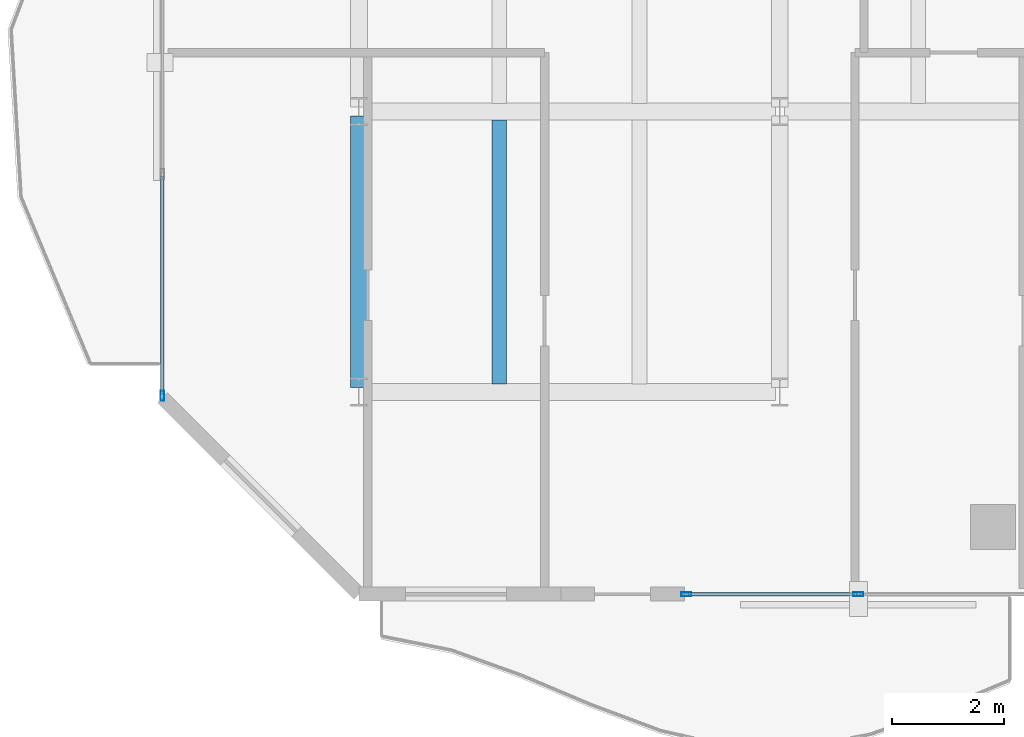
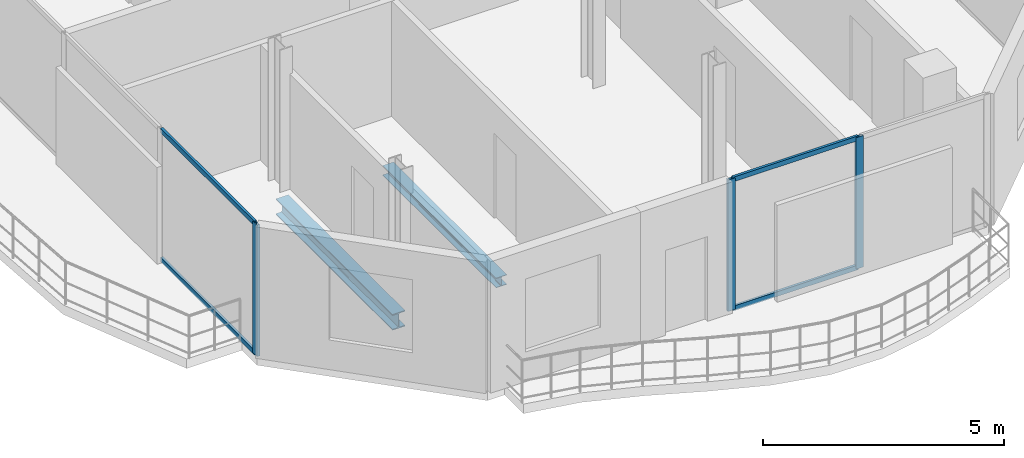
# One storey, part 3 of 23: 7 members, 2 beams, 2 elements without a shape of their own.
"""IFC4 building model written with IfcOpenShell, lengths in metres."""

from ifc_helpers import new_model, si_unit, direction, frame, origin, origin_2d, place, context, subcontext, project, spatial, hollow_rectangle, i_section, extrude, material, layer, layer_set, material_profile, profile_set, type_object, element, aggregate, save


model = new_model("IFC4")

# Units and contexts
model_context = context("Model", 3, precision=1e-05, world=origin(), true_north=direction((0.0, 1.0)))
body_context = subcontext(model_context, "Body", "Model", "MODEL_VIEW")
ifc_project = project(units=[si_unit("LENGTHUNIT", "METRE"), si_unit("AREAUNIT", "SQUARE_METRE"), si_unit("VOLUMEUNIT", "CUBIC_METRE"), si_unit("PLANEANGLEUNIT", "RADIAN"), si_unit("MASSUNIT", "GRAM", prefix="KILO")], contexts=[model_context])

# Site, building, storey
site_placement = place(None, origin())
site = spatial("IfcSite", under=ifc_project, at=site_placement, CompositionType="ELEMENT")
building_placement = place(site_placement, origin())
building = spatial("IfcBuilding", under=site, at=building_placement, Name="Catumbela Crestline Tower", CompositionType="ELEMENT")
storey_placement = place(building_placement, frame((0.0, 0.0, 172.2)))
storey = spatial("IfcBuildingStorey", under=building, at=storey_placement, Name="L44", CompositionType="ELEMENT", Elevation=172.2)

# Beams
ifc_material_1 = material(Name="Structural steel S355J2", Category="steel")
ifc_material_profile_1 = material_profile(ifc_material_1, i_section(OverallWidth=0.3, OverallDepth=0.4, WebThickness=0.0135, FlangeThickness=0.024, FilletRadius=0.027, at=origin_2d()), Name="HEB 400")
ifc_profile_set_1 = profile_set([ifc_material_profile_1], Name="Structural steel S355J2")
beam_type_1 = type_object("IfcBeamType", Name="BG-HEB400", PredefinedType="BEAM", material=ifc_profile_set_1)
beam_1_placement = place(storey_placement, frame((8.5, 8.68, -0.46), z_axis=(0.0, 1.0, 0.0), x_axis=(-1.0, 0.0, 0.0)))
element("IfcBeam", 1, at=beam_1_placement, inside=storey, type_object=beam_type_1, Name="L44 Beam BM-L44-WNS37", PredefinedType="BEAM", context=body_context, shape_type="SweptSolid", body=[
    extrude(i_section(OverallWidth=0.3, OverallDepth=0.4, WebThickness=0.0135, FlangeThickness=0.024, FilletRadius=0.027, at=origin_2d()), origin(), (0.0, 0.0, 1.0), 4.84),
])
ifc_material_profile_2 = material_profile(ifc_material_1, i_section(OverallWidth=0.26, OverallDepth=0.25, WebThickness=0.0075, FlangeThickness=0.0125, FilletRadius=0.024, at=origin_2d()), Name="HEA 260")
ifc_profile_set_2 = profile_set([ifc_material_profile_2], Name="Structural steel S355J2")
beam_type_2 = type_object("IfcBeamType", Name="BJ-HEA260", PredefinedType="JOIST", material=ifc_profile_set_2)
beam_2_placement = place(storey_placement, frame((11.0, 8.747, -0.385), z_axis=(0.0, 1.0, 0.0), x_axis=(-1.0, 0.0, 0.0)))
element("IfcBeam", 2, at=beam_2_placement, inside=storey, type_object=beam_type_2, Name="L44 Joist JS-L44-WG44", PredefinedType="JOIST", context=body_context, shape_type="SweptSolid", body=[
    extrude(i_section(OverallWidth=0.26, OverallDepth=0.25, WebThickness=0.0075, FlangeThickness=0.0125, FilletRadius=0.024, at=origin_2d()), origin(), (0.0, 0.0, 1.0), 4.706),
])

# Curtain wall, members
ifc_material_2 = material(Name="Aluminium alloy AW-6060-T66", Category="aluminium")
ifc_layer = layer(ifc_material_2, 0.18, Name="Aluminium alloy AW-6060-T66")
ifc_layer_set = layer_set([ifc_layer], Name="Aluminium alloy AW-6060-T66")
curtain_wall_type = type_object("IfcCurtainWallType", Name="CWU-Z3", PredefinedType="USERDEFINED", material=ifc_layer_set)
curtain_wall_1_placement = place(storey_placement, origin())
curtain_wall_1 = element("IfcCurtainWall", 3, at=curtain_wall_1_placement, inside=storey, type_object=curtain_wall_type, Name="L44 Unitised Curtain Wall CW-L44-E0S2", ObjectType="UNITISED", PredefinedType="USERDEFINED")
ifc_material_profile_3 = material_profile(ifc_material_2, hollow_rectangle(XDim=0.065, YDim=0.18, WallThickness=0.004, at=origin_2d()), Name="ALU 180x65x4")
ifc_profile_set_3 = profile_set([ifc_material_profile_3], Name="Aluminium alloy AW-6060-T66")
member_type_1 = type_object("IfcMemberType", Name="MUL-180X65", PredefinedType="MULLION", material=ifc_profile_set_3)
member_1_placement = place(storey_placement, frame((14.3325, 5.0, 0.0), z_axis=(0.0, 0.0, 1.0), x_axis=(0.0, 1.0, 0.0)))
member_1 = element("IfcMember", 4, at=member_1_placement, type_object=member_type_1, Name="CWU-Z3 mullion 1", PredefinedType="MULLION", context=body_context, shape_type="SweptSolid", body=[
    extrude(hollow_rectangle(XDim=0.065, YDim=0.18, WallThickness=0.004, at=origin_2d()), origin(), (0.0, 0.0, 1.0), 3.33),
])
member_2_placement = place(storey_placement, frame((17.4, 5.0, 0.0), z_axis=(0.0, 0.0, 1.0), x_axis=(0.0, 1.0, 0.0)))
member_2 = element("IfcMember", 5, at=member_2_placement, type_object=member_type_1, Name="CWU-Z3 mullion 2", PredefinedType="MULLION", context=body_context, shape_type="SweptSolid", body=[
    extrude(hollow_rectangle(XDim=0.065, YDim=0.18, WallThickness=0.004, at=origin_2d()), origin(), (0.0, 0.0, 1.0), 3.33),
])

# Curtain wall, member
curtain_wall_2_placement = place(storey_placement, origin())
curtain_wall_2 = element("IfcCurtainWall", 6, at=curtain_wall_2_placement, inside=storey, type_object=curtain_wall_type, Name="L44 Unitised Curtain Wall CW-L44-E9S2", ObjectType="UNITISED", PredefinedType="USERDEFINED")
member_3_placement = place(storey_placement, frame((5.0, 8.5325, 0.0), z_axis=(0.0, 0.0, 1.0), x_axis=(1.0, 0.0, 0.0)))
member_3 = element("IfcMember", 7, at=member_3_placement, type_object=member_type_1, Name="CWU-Z3 mullion 7", PredefinedType="MULLION", context=body_context, shape_type="SweptSolid", body=[
    extrude(hollow_rectangle(XDim=0.065, YDim=0.18, WallThickness=0.004, at=origin_2d()), origin(), (0.0, 0.0, 1.0), 3.33),
])

# Member
ifc_material_profile_4 = material_profile(ifc_material_2, hollow_rectangle(XDim=0.06, YDim=0.12, WallThickness=0.0035, at=origin_2d()), Name="ALU 120x60x3.5")
ifc_profile_set_4 = profile_set([ifc_material_profile_4], Name="Aluminium alloy AW-6060-T66")
member_type_2 = type_object("IfcMemberType", Name="TRN-120X60", PredefinedType="USERDEFINED", material=ifc_profile_set_4)
member_4_placement = place(storey_placement, frame((14.365, 5.0, 0.03), z_axis=(1.0, 0.0, 0.0), x_axis=(0.0, 1.0, 0.0)))
member_4 = element("IfcMember", 8, at=member_4_placement, type_object=member_type_2, Name="CWU-Z3 transom 1.1", ObjectType="TRANSOM", PredefinedType="USERDEFINED", context=body_context, shape_type="SweptSolid", body=[
    extrude(hollow_rectangle(XDim=0.06, YDim=0.12, WallThickness=0.0035, at=origin_2d()), origin(), (0.0, 0.0, 1.0), 3.0025),
])

member_5_placement = place(storey_placement, frame((14.365, 5.0, 3.3), z_axis=(1.0, 0.0, 0.0), x_axis=(0.0, 1.0, 0.0)))
member_5 = element("IfcMember", 9, at=member_5_placement, type_object=member_type_2, Name="CWU-Z3 transom 1.2", ObjectType="TRANSOM", PredefinedType="USERDEFINED", context=body_context, shape_type="SweptSolid", body=[
    extrude(hollow_rectangle(XDim=0.06, YDim=0.12, WallThickness=0.0035, at=origin_2d()), origin(), (0.0, 0.0, 1.0), 3.0025),
])

aggregate(curtain_wall_1, [member_1, member_2, member_4, member_5])

member_6_placement = place(storey_placement, frame((5.0, 12.4508, 0.03), z_axis=(0.0, -1.0, 0.0), x_axis=(1.0, 0.0, 0.0)))
member_6 = element("IfcMember", 10, at=member_6_placement, type_object=member_type_2, Name="CWU-Z3 transom 6.1", ObjectType="TRANSOM", PredefinedType="USERDEFINED", context=body_context, shape_type="SweptSolid", body=[
    extrude(hollow_rectangle(XDim=0.06, YDim=0.12, WallThickness=0.0035, at=origin_2d()), origin(), (0.0, 0.0, 1.0), 3.8858),
])

member_7_placement = place(storey_placement, frame((5.0, 12.4508, 3.3), z_axis=(0.0, -1.0, 0.0), x_axis=(1.0, 0.0, 0.0)))
member_7 = element("IfcMember", 11, at=member_7_placement, type_object=member_type_2, Name="CWU-Z3 transom 6.2", ObjectType="TRANSOM", PredefinedType="USERDEFINED", context=body_context, shape_type="SweptSolid", body=[
    extrude(hollow_rectangle(XDim=0.06, YDim=0.12, WallThickness=0.0035, at=origin_2d()), origin(), (0.0, 0.0, 1.0), 3.8858),
])

aggregate(curtain_wall_2, [member_3, member_6, member_7])

save(model, "model.ifc")
